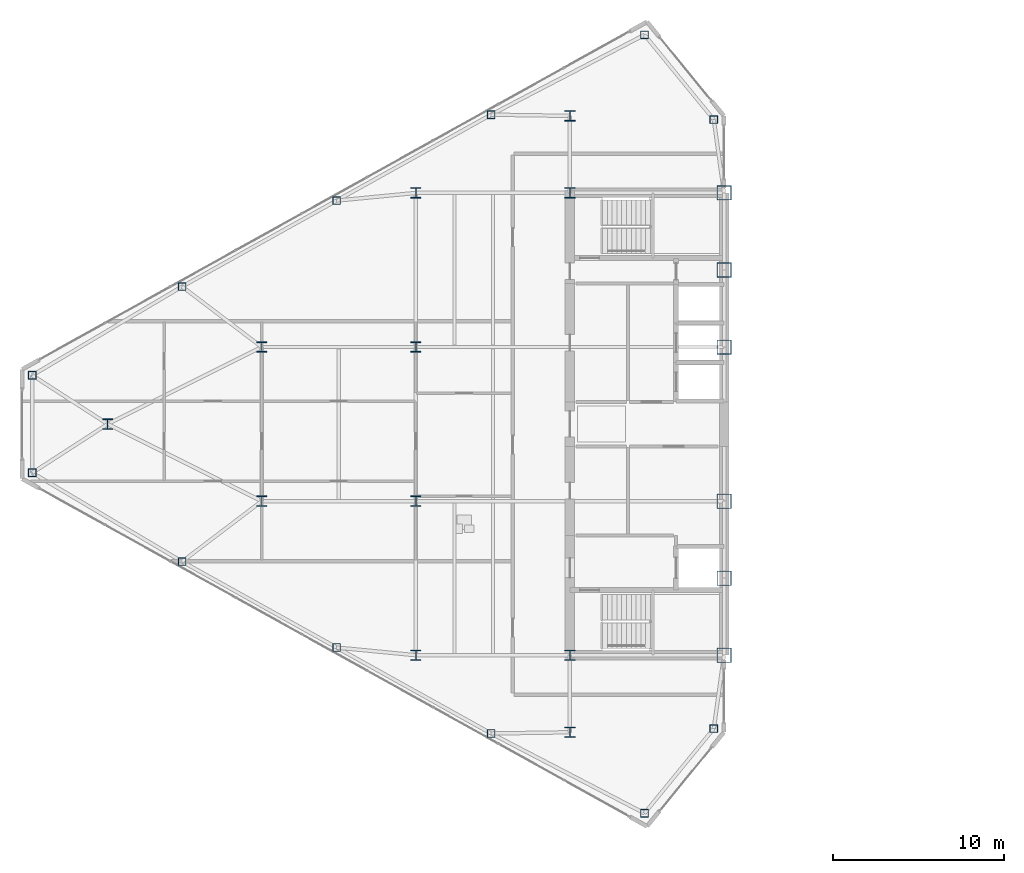
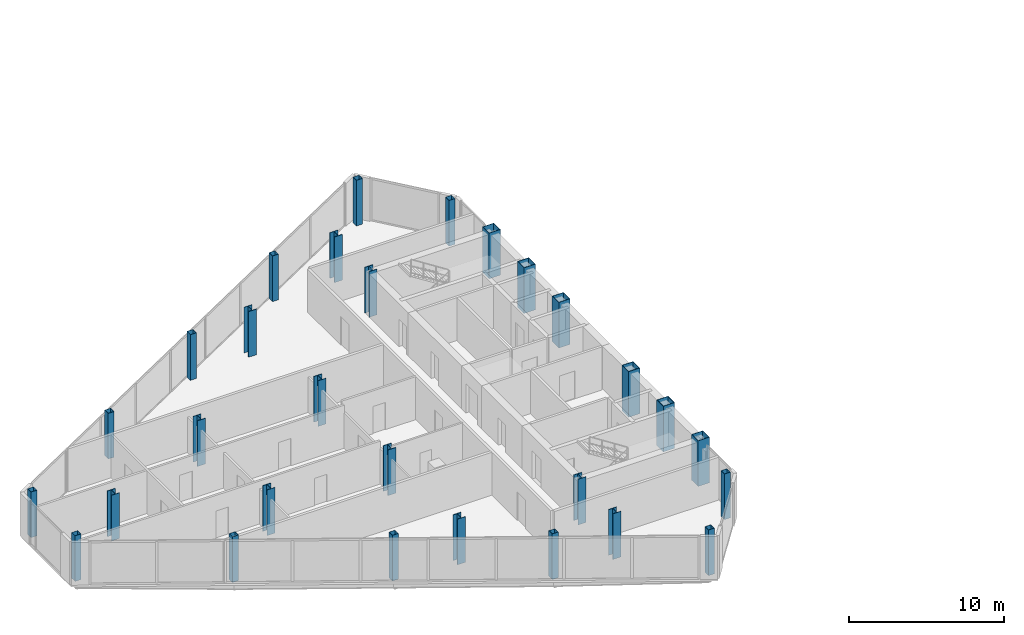
# One storey, part 1 of 26: 29 columns.
"""IFC4 building model written with IfcOpenShell, lengths in metres."""

from ifc_helpers import new_model, si_unit, direction, frame, origin, origin_2d, place, context, subcontext, project, spatial, hollow_rectangle, i_section, extrude, source, transform, mapped, material, material_profile, profile_set, type_object, type_shapes, element, save


model = new_model("IFC4")

# Units and contexts
model_context = context("Model", 3, precision=1e-05, world=origin(), true_north=direction((0.0, 1.0)))
body_context = subcontext(model_context, "Body", "Model", "MODEL_VIEW")
ifc_project = project(units=[si_unit("LENGTHUNIT", "METRE"), si_unit("AREAUNIT", "SQUARE_METRE"), si_unit("VOLUMEUNIT", "CUBIC_METRE"), si_unit("PLANEANGLEUNIT", "RADIAN"), si_unit("MASSUNIT", "GRAM", prefix="KILO")], contexts=[model_context])

# Site, building, storey
site_placement = place(None, origin())
site = spatial("IfcSite", under=ifc_project, at=site_placement, CompositionType="ELEMENT")
building_placement = place(site_placement, origin())
building = spatial("IfcBuilding", under=site, at=building_placement, Name="Seokmaru Belvedere", CompositionType="ELEMENT")
storey_placement = place(building_placement, frame((0.0, 0.0, 170.699951171875)))
storey = spatial("IfcBuildingStorey", under=building, at=storey_placement, Name="L45", CompositionType="ELEMENT", Elevation=170.699951171875)

# Columns
ifc_material_1 = material(Name="Steel SM355 (355 MPa)", Category="steel")
ifc_material_profile_1 = material_profile(ifc_material_1, hollow_rectangle(XDim=0.449951171875, YDim=0.449951171875, WallThickness=0.01806640625, at=origin_2d()), Name="HSS-450x450x18")
ifc_profile_set_1 = profile_set([ifc_material_profile_1], Name="Steel SM355 (355 MPa)")
column_type_1 = type_object("IfcColumnType", Name="Perimeter Facet Column HSS-450", PredefinedType="COLUMN", material=ifc_profile_set_1)
shared_shape_1 = source(origin(), body_context, "Body", "SweptSolid", [
    extrude(hollow_rectangle(XDim=0.449951171875, YDim=0.449951171875, WallThickness=0.01806640625, at=origin_2d()), origin(), (0.0, 0.0, 1.0), 3.60009765625),
])
type_shapes(column_type_1, [shared_shape_1])
for number, where, z_axis, x_axis, name in (
    (1, (-28.10009765625, -17.785888671875, 0.0), (0.0, 0.0, 1.0), (1.0, 0.0, 0.0), "L45 Column WF1"),
    (2, (-28.10009765625, 17.785888671875, 0.0), (0.0, 0.0, 1.0), (1.0, 0.0, 0.0), "L45 Column WF2"),
    (3, (-32.146728515625, 22.731689453125, 0.0), (0.0, 0.0, 1.0), (1.0, 0.0, 0.0), "L45 Column WF3"),
    (4, (-67.89990234375, 2.84716796875, 0.0), (0.0, 0.0, 1.0), (1.0, 0.0, 0.0), "L45 Column WF4"),
    (5, (-67.89990234375, -2.84716796875, 0.0), (0.0, 0.0, 1.0), (1.0, 0.0, 0.0), "L45 Column WF5"),
    (6, (-32.146728515625, -22.731689453125, 0.0), (0.0, 0.0, 1.0), (1.0, 0.0, 0.0), "L45 Column WF6"),
    (7, (-41.103759765625, -18.07080078125, 0.0), (0.0, 0.0, 1.0), (1.0, 0.0, 0.0), "L45 Column WFLK_S1"),
    (8, (-50.129150390625, -13.051025390625, 0.0), (0.0, 0.0, 1.0), (1.0, 0.0, 0.0), "L45 Column WFLK_S2"),
    (9, (-59.154541015625, -8.031494140625, 0.0), (0.0, 0.0, 1.0), (1.0, 0.0, 0.0), "L45 Column WFLK_S3"),
    (10, (-41.103759765625, 18.07080078125, 0.0), (0.0, 0.0, 1.0), (1.0, 0.0, 0.0), "L45 Column WFLK_N1"),
    (11, (-50.129150390625, 13.051025390625, 0.0), (0.0, 0.0, 1.0), (1.0, 0.0, 0.0), "L45 Column WFLK_N2"),
    (12, (-59.154541015625, 8.031494140625, 0.0), (0.0, 0.0, 1.0), (1.0, 0.0, 0.0), "L45 Column WFLK_N3"),
):
    element("IfcColumn", number, at=place(storey_placement, frame(where, z_axis=z_axis, x_axis=x_axis)), inside=storey, type_object=column_type_1, Name=name, PredefinedType="COLUMN", context=body_context, shape_type="MappedRepresentation", body=[
        mapped(shared_shape_1, transform((0.0, 0.0, 0.0), scale=1.0)),
    ])
ifc_material_2 = material(Name="Steel HSA650 (650 MPa)", Category="steel")
ifc_material_profile_2 = material_profile(ifc_material_2, hollow_rectangle(XDim=0.85009765625, YDim=0.85009765625, WallThickness=0.035888671875, at=origin_2d()), Name="BOX-850x850x36")
ifc_profile_set_2 = profile_set([ifc_material_profile_2], Name="Steel HSA650 (650 MPa)")
column_type_2 = type_object("IfcColumnType", Name="Portal Spine Column BOX-850", PredefinedType="COLUMN", material=ifc_profile_set_2)
shared_shape_2 = source(origin(), body_context, "Body", "SweptSolid", [
    extrude(hollow_rectangle(XDim=0.85009765625, YDim=0.85009765625, WallThickness=0.035888671875, at=origin_2d()), origin(), (0.0, 0.0, 1.0), 3.60009765625),
])
type_shapes(column_type_2, [shared_shape_2])
for number, where, z_axis, x_axis, name in (
    (13, (-27.5, -13.5, 0.0), (0.0, 0.0, 1.0), (1.0, 0.0, 0.0), "L45 Column WS1"),
    (14, (-27.5, -9.0, 0.0), (0.0, 0.0, 1.0), (1.0, 0.0, 0.0), "L45 Column WS2"),
    (15, (-27.5, -4.5, 0.0), (0.0, 0.0, 1.0), (1.0, 0.0, 0.0), "L45 Column WS3"),
    (16, (-27.5, 4.5, 0.0), (0.0, 0.0, 1.0), (1.0, 0.0, 0.0), "L45 Column WS4"),
    (17, (-27.5, 9.0, 0.0), (0.0, 0.0, 1.0), (1.0, 0.0, 0.0), "L45 Column WS5"),
    (18, (-27.5, 13.5, 0.0), (0.0, 0.0, 1.0), (1.0, 0.0, 0.0), "L45 Column WS6"),
):
    element("IfcColumn", number, at=place(storey_placement, frame(where, z_axis=z_axis, x_axis=x_axis)), inside=storey, type_object=column_type_2, Name=name, PredefinedType="COLUMN", context=body_context, shape_type="MappedRepresentation", body=[
        mapped(shared_shape_2, transform((0.0, 0.0, 0.0), scale=1.0)),
    ])
ifc_material_profile_3 = material_profile(ifc_material_1, i_section(OverallWidth=0.60009765625, OverallDepth=0.60009765625, WebThickness=0.02490234375, FlangeThickness=0.0400390625, at=origin_2d()), Name="H-600x600x25x40")
ifc_profile_set_3 = profile_set([ifc_material_profile_3], Name="Steel SM355 (355 MPa)")
column_type_3 = type_object("IfcColumnType", Name="Upper-Mid Interior Column H-600", PredefinedType="COLUMN", material=ifc_profile_set_3)
shared_shape_3 = source(origin(), body_context, "Body", "SweptSolid", [
    extrude(i_section(OverallWidth=0.60009765625, OverallDepth=0.60009765625, WebThickness=0.02490234375, FlangeThickness=0.0400390625, at=origin_2d()), origin(), (0.0, 0.0, 1.0), 3.60009765625),
])
type_shapes(column_type_3, [shared_shape_3])
for number, where, z_axis, x_axis, name in (
    (19, (-36.5, -18.0, 0.0), (0.0, 0.0, 1.0), (1.0, 0.0, 0.0), "L45 Column WC1"),
    (20, (-36.5, -13.5, 0.0), (0.0, 0.0, 1.0), (1.0, 0.0, 0.0), "L45 Column WC2"),
    (21, (-36.5, 13.5, 0.0), (0.0, 0.0, 1.0), (1.0, 0.0, 0.0), "L45 Column WC3"),
    (22, (-36.5, 18.0, 0.0), (0.0, 0.0, 1.0), (1.0, 0.0, 0.0), "L45 Column WC4"),
    (23, (-45.5, -13.5, 0.0), (0.0, 0.0, 1.0), (1.0, 0.0, 0.0), "L45 Column WG5_1"),
    (24, (-45.5, -4.5, 0.0), (0.0, 0.0, 1.0), (1.0, 0.0, 0.0), "L45 Column WG5_2"),
    (25, (-45.5, 4.5, 0.0), (0.0, 0.0, 1.0), (1.0, 0.0, 0.0), "L45 Column WG5_3"),
    (26, (-45.5, 13.5, 0.0), (0.0, 0.0, 1.0), (1.0, 0.0, 0.0), "L45 Column WG5_4"),
    (27, (-54.5, -4.5, 0.0), (0.0, 0.0, 1.0), (1.0, 0.0, 0.0), "L45 Column WG4P_1"),
    (28, (-54.5, 4.5, 0.0), (0.0, 0.0, 1.0), (1.0, 0.0, 0.0), "L45 Column WG4P_2"),
    (29, (-63.5, 0.0, 0.0), (0.0, 0.0, 1.0), (1.0, 0.0, 0.0), "L45 Column WG3P_1"),
):
    element("IfcColumn", number, at=place(storey_placement, frame(where, z_axis=z_axis, x_axis=x_axis)), inside=storey, type_object=column_type_3, Name=name, PredefinedType="COLUMN", context=body_context, shape_type="MappedRepresentation", body=[
        mapped(shared_shape_3, transform((0.0, 0.0, 0.0), scale=1.0)),
    ])

save(model, "model.ifc")
